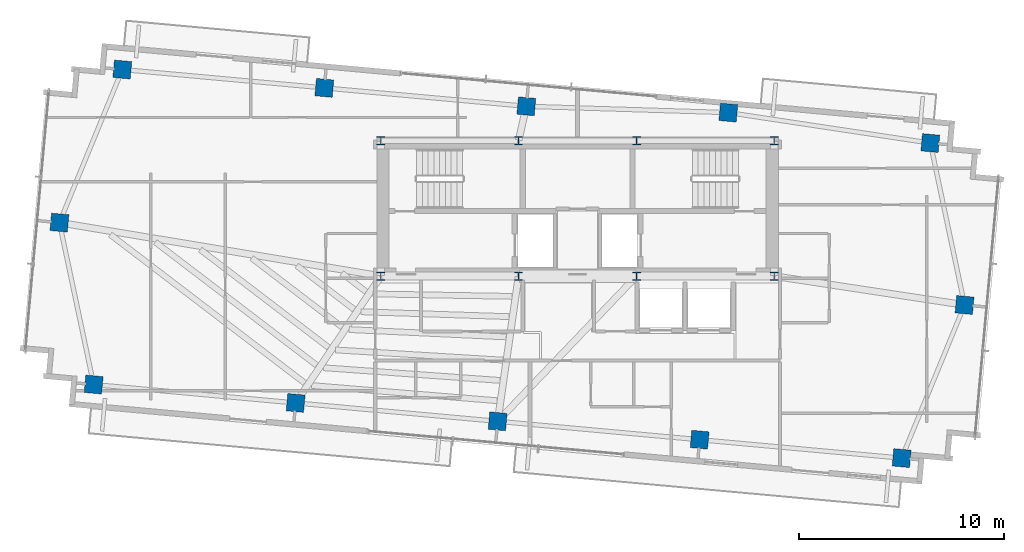
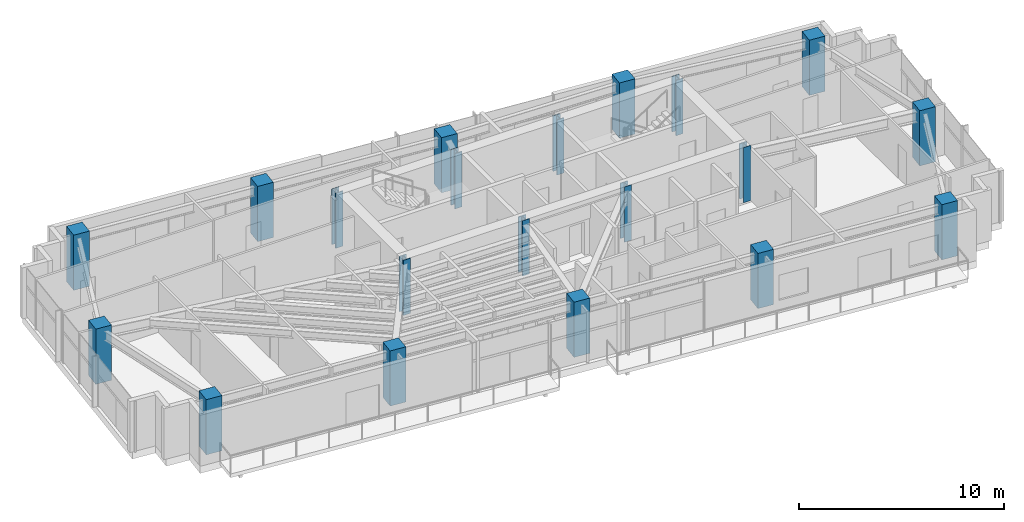
# One storey, part 1 of 22: 20 columns.
"""IFC4 building model written with IfcOpenShell, lengths in metres."""

from ifc_helpers import new_model, si_unit, direction, frame, origin, origin_2d, place, context, subcontext, project, spatial, rectangle, i_section, extrude, source, transform, mapped, material, material_profile, profile_set, type_object, type_shapes, element, save


model = new_model("IFC4")

# Units and contexts
model_context = context("Model", 3, precision=1e-05, world=origin(), true_north=direction((0.0, 1.0)))
body_context = subcontext(model_context, "Body", "Model", "MODEL_VIEW")
ifc_project = project(units=[si_unit("LENGTHUNIT", "METRE"), si_unit("AREAUNIT", "SQUARE_METRE"), si_unit("VOLUMEUNIT", "CUBIC_METRE"), si_unit("PLANEANGLEUNIT", "RADIAN"), si_unit("MASSUNIT", "GRAM", prefix="KILO")], contexts=[model_context])

# Site, building, storey
site_placement = place(None, origin())
site = spatial("IfcSite", under=ifc_project, at=site_placement, CompositionType="ELEMENT")
building_placement = place(site_placement, origin())
building = spatial("IfcBuilding", under=site, at=building_placement, Name="Astriad Promenade Condominiums", CompositionType="ELEMENT")
storey_placement = place(building_placement, frame((0.0, 0.0, 216.60009765625)))
storey = spatial("IfcBuildingStorey", under=building, at=storey_placement, Name="L62", CompositionType="ELEMENT", Elevation=216.60009765625)

# Columns
ifc_material_1 = material(Name="Steel ASTM A992 Grade 50", Category="steel")
ifc_material_profile_1 = material_profile(ifc_material_1, i_section(OverallWidth=0.4091796875, OverallDepth=0.42529296875, WebThickness=0.03271484375, FlangeThickness=0.052490234375, FilletRadius=0.017822265625, at=origin_2d()), Name="W14X283")
ifc_profile_set_1 = profile_set([ifc_material_profile_1], Name="Steel ASTM A992 Grade 50")
column_type_1 = type_object("IfcColumnType", Name="STEEL CORE PILASTER W14X283", PredefinedType="PILASTER", material=ifc_profile_set_1)
shared_shape_1 = source(origin(), body_context, "Body", "SweptSolid", [
    extrude(i_section(OverallWidth=0.4091796875, OverallDepth=0.42529296875, WebThickness=0.03271484375, FlangeThickness=0.052490234375, FilletRadius=0.017822265625, at=origin_2d()), origin(), (0.0, 0.0, 1.0), 3.2958984375),
])
type_shapes(column_type_1, [shared_shape_1])
for number, where, z_axis, x_axis, name in (
    (1, (26.39990234375, 17.39990234375, 0.001953125), (0.0, 0.0, 1.0), (1.0, 0.0, 0.0), "Core Pilaster Column CP1 (L62)"),
    (2, (33.1201171875, 17.39990234375, 0.001953125), (0.0, 0.0, 1.0), (1.0, 0.0, 0.0), "Core Pilaster Column CP2 (L62)"),
    (3, (38.8798828125, 17.39990234375, 0.001953125), (0.0, 0.0, 1.0), (1.0, 0.0, 0.0), "Core Pilaster Column CP3 (L62)"),
    (4, (45.60009765625, 17.39990234375, 0.001953125), (0.0, 0.0, 1.0), (1.0, 0.0, 0.0), "Core Pilaster Column CP4 (L62)"),
    (5, (26.39990234375, 24.0, 0.001953125), (0.0, 0.0, 1.0), (1.0, 0.0, 0.0), "Core Pilaster Column CP5 (L62)"),
    (6, (33.1201171875, 24.0, 0.001953125), (0.0, 0.0, 1.0), (1.0, 0.0, 0.0), "Core Pilaster Column CP6 (L62)"),
    (7, (38.8798828125, 24.0, 0.001953125), (0.0, 0.0, 1.0), (1.0, 0.0, 0.0), "Core Pilaster Column CP7 (L62)"),
    (8, (45.60009765625, 24.0, 0.001953125), (0.0, 0.0, 1.0), (1.0, 0.0, 0.0), "Core Pilaster Column CP8 (L62)"),
):
    element("IfcColumn", number, at=place(storey_placement, frame(where, z_axis=z_axis, x_axis=x_axis)), inside=storey, type_object=column_type_1, Name=name, PredefinedType="PILASTER", context=body_context, shape_type="MappedRepresentation", body=[
        mapped(shared_shape_1, transform((0.0, 0.0, 0.0), scale=1.0)),
    ])
ifc_material_2 = material(Name="Concrete C50/60", Category="concrete")
ifc_material_profile_2 = material_profile(ifc_material_2, rectangle(XDim=0.85009765625, YDim=0.85009765625, at=origin_2d()), Name="RC-COL-850X850")
ifc_profile_set_2 = profile_set([ifc_material_profile_2], Name="Concrete C50/60")
column_type_2 = type_object("IfcColumnType", Name="CONCRETE TOWER COLUMN 850X850", PredefinedType="COLUMN", material=ifc_profile_set_2)
shared_shape_2 = source(origin(), body_context, "Body", "SweptSolid", [
    extrude(rectangle(XDim=0.85009765625, YDim=0.85009765625, at=origin_2d()), origin(), (0.0, 0.0, 1.0), 3.2939453125),
])
type_shapes(column_type_2, [shared_shape_2])
for number, where, z_axis, x_axis, name in (
    (9, (12.3818359375, 12.106201171875, 0.00390625), (0.0, 0.0, 1.0), (0.995884398616, -0.090632580198, 0.0), "Perimeter Column PC01 (L62)"),
    (10, (22.2412109375, 11.208984375, 0.00390625), (0.0, 0.0, 1.0), (0.995884398616, -0.090632580198, 0.0), "Perimeter Column PC02 (L62)"),
    (11, (32.100341796875, 10.311767578125, 0.00390625), (0.0, 0.0, 1.0), (0.995884398616, -0.090632580198, 0.0), "Perimeter Column PC03 (L62)"),
    (12, (41.959716796875, 9.41455078125, 0.00390625), (0.0, 0.0, 1.0), (0.995884398616, -0.090632580198, 0.0), "Perimeter Column PC04 (L62)"),
    (13, (51.81884765625, 8.51708984375, 0.00390625), (0.0, 0.0, 1.0), (0.995884398616, -0.090632580198, 0.0), "Perimeter Column PC05 (L62)"),
    (14, (13.78125, 27.48291015625, 0.00390625), (0.0, 0.0, 1.0), (0.995884398616, -0.090632580198, 0.0), "Perimeter Column PC06 (L62)"),
    (15, (23.640380859375, 26.58544921875, 0.00390625), (0.0, 0.0, 1.0), (0.995884398616, -0.090632580198, 0.0), "Perimeter Column PC07 (L62)"),
    (16, (33.499755859375, 25.688232421875, 0.00390625), (0.0, 0.0, 1.0), (0.995884398616, -0.090632580198, 0.0), "Perimeter Column PC08 (L62)"),
    (17, (43.35888671875, 25.3798828125, 0.00390625), (0.0, 0.0, 1.0), (0.995884398616, -0.090632580198, 0.0), "Perimeter Column PC09 (L62)"),
    (18, (53.21826171875, 23.893798828125, 0.00390625), (0.0, 0.0, 1.0), (0.995884398616, -0.090632580198, 0.0), "Perimeter Column PC10 (L62)"),
    (19, (10.711181640625, 20.01025390625, 0.00390625), (0.0, 0.0, 1.0), (0.995884398616, -0.090632580198, 0.0), "Perimeter Column PC11 (L62)"),
    (20, (54.888671875, 15.98974609375, 0.00390625), (0.0, 0.0, 1.0), (0.995884398616, -0.090632580198, 0.0), "Perimeter Column PC12 (L62)"),
):
    element("IfcColumn", number, at=place(storey_placement, frame(where, z_axis=z_axis, x_axis=x_axis)), inside=storey, type_object=column_type_2, Name=name, PredefinedType="COLUMN", context=body_context, shape_type="MappedRepresentation", body=[
        mapped(shared_shape_2, transform((0.0, 0.0, 0.0), scale=1.0)),
    ])

save(model, "model.ifc")
